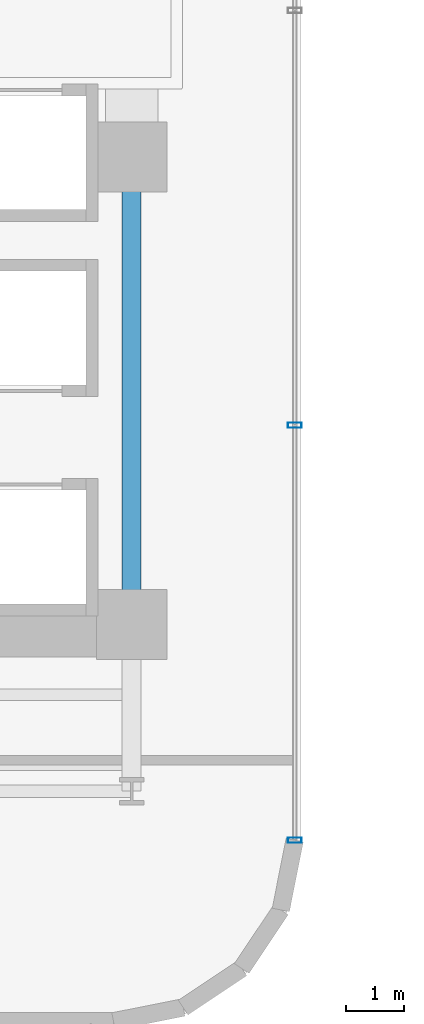
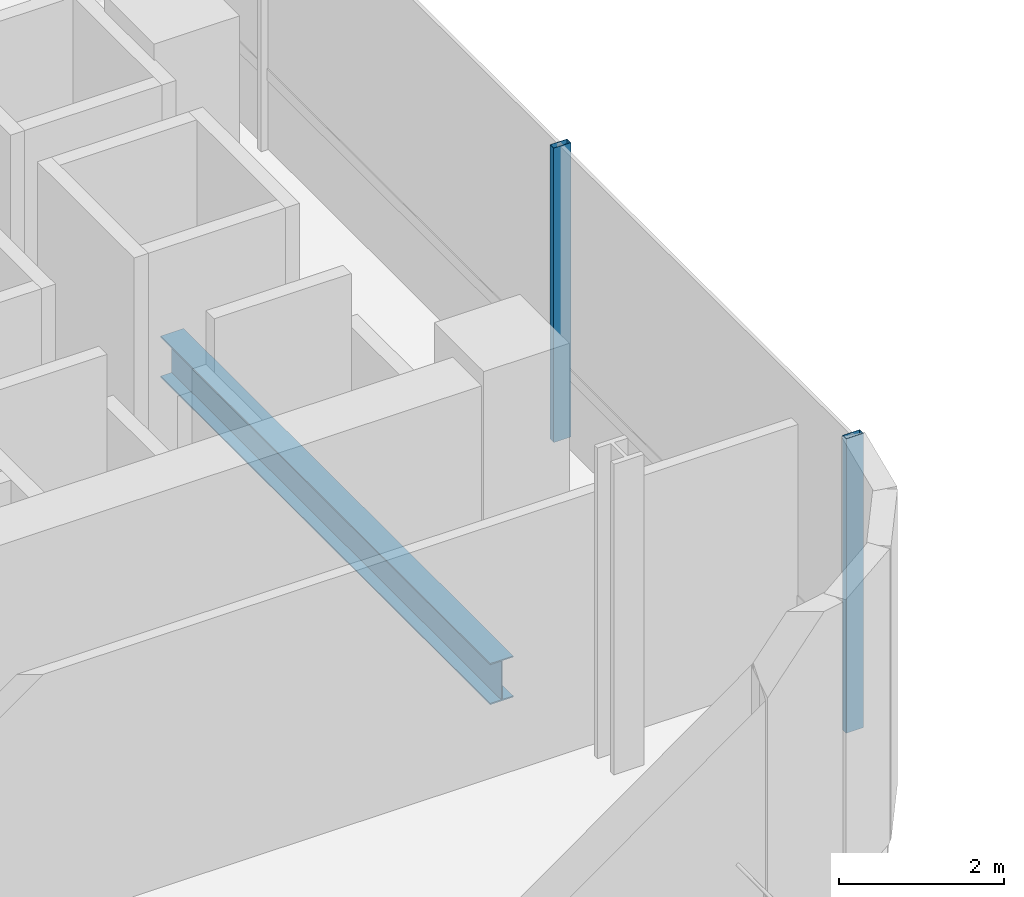
# One storey, part 4 of 32: 2 members, 1 beam, 1 element without a shape of its own.
"""IFC4 building model written with IfcOpenShell, lengths in metres."""

from ifc_helpers import new_model, si_unit, direction, frame, origin, origin_2d, place, context, subcontext, project, spatial, hollow_rectangle, i_section, extrude, source, transform, mapped, material, material_profile, profile_set, type_object, element, aggregate, save


model = new_model("IFC4")

# Units and contexts
model_context = context("Model", 3, precision=1e-05, world=origin(), true_north=direction((0.0, 1.0)))
body_context = subcontext(model_context, "Body", "Model", "MODEL_VIEW")
ifc_project = project(units=[si_unit("LENGTHUNIT", "METRE"), si_unit("AREAUNIT", "SQUARE_METRE"), si_unit("VOLUMEUNIT", "CUBIC_METRE"), si_unit("PLANEANGLEUNIT", "RADIAN"), si_unit("MASSUNIT", "GRAM", prefix="KILO")], contexts=[model_context])

# Site, building, storey
site_placement = place(None, origin())
site = spatial("IfcSite", under=ifc_project, at=site_placement, CompositionType="ELEMENT")
building_placement = place(site_placement, origin())
building = spatial("IfcBuilding", under=site, at=building_placement, Name="Valdorenza Pilgrim Sanctuary Tower", CompositionType="ELEMENT")
storey_placement = place(building_placement, frame((0.0, 0.0, 101.10009765625)))
storey = spatial("IfcBuildingStorey", under=building, at=storey_placement, Name="L25", CompositionType="ELEMENT", Elevation=101.10009765625)

# Beam
ifc_material_1 = material(Name="Steel ASTM A992 Grade 50", Category="steel")
ifc_material_profile_1 = material_profile(ifc_material_1, i_section(OverallWidth=0.323974609375, OverallDepth=0.611083984375, WebThickness=0.0126953125, FlangeThickness=0.01904296875, at=origin_2d()), Name="W24X104")
ifc_profile_set_1 = profile_set([ifc_material_profile_1], Name="Steel ASTM A992 Grade 50")
beam_type = type_object("IfcBeamType", Name="STR-BM-GRD-W24B", PredefinedType="BEAM", material=ifc_profile_set_1)
shared_shape_1 = source(origin(), body_context, "Body", "SweptSolid", [
    extrude(i_section(OverallWidth=0.323974609375, OverallDepth=0.611083984375, WebThickness=0.0126953125, FlangeThickness=0.01904296875, at=origin_2d()), origin(), (0.0, 0.0, 1.0), 8.0),
])
beam_placement = place(storey_placement, frame((-12.39990234375, -10.60009765625, -0.545654296875), z_axis=(0.0, 1.0, 0.0), x_axis=(-1.0, 0.0, 0.0)))
element("IfcBeam", 1, at=beam_placement, inside=storey, type_object=beam_type, Name="L25 Core Tie Girder CA-E-S1M0", PredefinedType="BEAM", context=body_context, shape_type="MappedRepresentation", body=[
    mapped(shared_shape_1, transform((0.0, 0.0, 0.0), x_axis=(1.0, 0.0, 0.0), y_axis=(0.0, 1.0, 0.0), z_axis=(0.0, 0.0, 1.0), scale=1.0)),
])

# Curtain wall, members
ifc_material_2 = material(Name="Curtain-wall IGU glazing", Category="glass")
curtain_wall_type = type_object("IfcCurtainWallType", Name="CW-SYS-04", PredefinedType="NOTDEFINED", material=ifc_material_2)
curtain_wall_placement = place(storey_placement, origin())
curtain_wall = element("IfcCurtainWall", 2, at=curtain_wall_placement, inside=storey, type_object=curtain_wall_type, Name="L25 Curtain Wall CW-L25-1-41", PredefinedType="NOTDEFINED")
ifc_material_3 = material(Name="Anodised aluminium AW-6060", Category="aluminium")
ifc_material_profile_2 = material_profile(ifc_material_3, hollow_rectangle(XDim=0.090087890625, YDim=0.239990234375, WallThickness=0.0048828125, at=origin_2d()), Name="ALU-M 240x90x5")
ifc_profile_set_2 = profile_set([ifc_material_profile_2], Name="Anodised aluminium AW-6060")
member_type = type_object("IfcMemberType", Name="CW-MUL-04", PredefinedType="MULLION", material=ifc_profile_set_2)
shared_shape_2 = source(origin(), body_context, "Body", "SweptSolid", [
    extrude(hollow_rectangle(XDim=0.090087890625, YDim=0.239990234375, WallThickness=0.0048828125, at=origin_2d()), origin(), (0.0, 0.0, 1.0), 4.35986328125),
])
member_1_placement = place(storey_placement, frame((-9.610107421875, -7.189208984375, 0.0), z_axis=(0.0, 0.0, 1.0), x_axis=(0.0, -1.0, 0.0)))
member_1 = element("IfcMember", 3, at=member_1_placement, type_object=member_type, Name="CW-L25-1-41 Mullion 3", PredefinedType="MULLION", context=body_context, shape_type="MappedRepresentation", body=[
    mapped(shared_shape_2, transform((0.0, 0.0, 0.0), x_axis=(1.0, 0.0, 0.0), y_axis=(0.0, 1.0, 0.0), z_axis=(0.0, 0.0, 1.0), scale=1.0)),
])
member_2_placement = place(storey_placement, frame((-9.610107421875, -14.289306640625, 0.0), z_axis=(0.0, 0.0, 1.0), x_axis=(0.0, -1.0, 0.0)))
member_2 = element("IfcMember", 4, at=member_2_placement, type_object=member_type, Name="CW-L25-1-41 Mullion 4", PredefinedType="MULLION", context=body_context, shape_type="MappedRepresentation", body=[
    mapped(shared_shape_2, transform((0.0, 0.0, 0.0), x_axis=(1.0, 0.0, 0.0), y_axis=(0.0, 1.0, 0.0), z_axis=(0.0, 0.0, 1.0), scale=1.0)),
])
aggregate(curtain_wall, [member_1, member_2])

save(model, "model.ifc")
